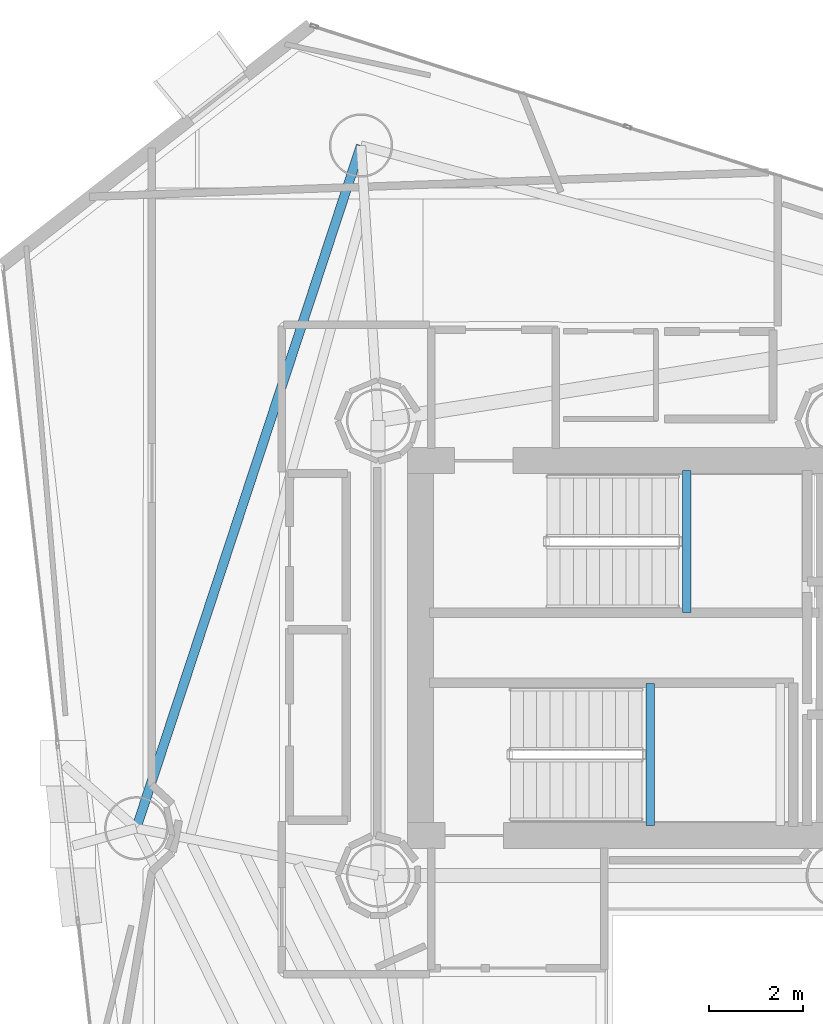
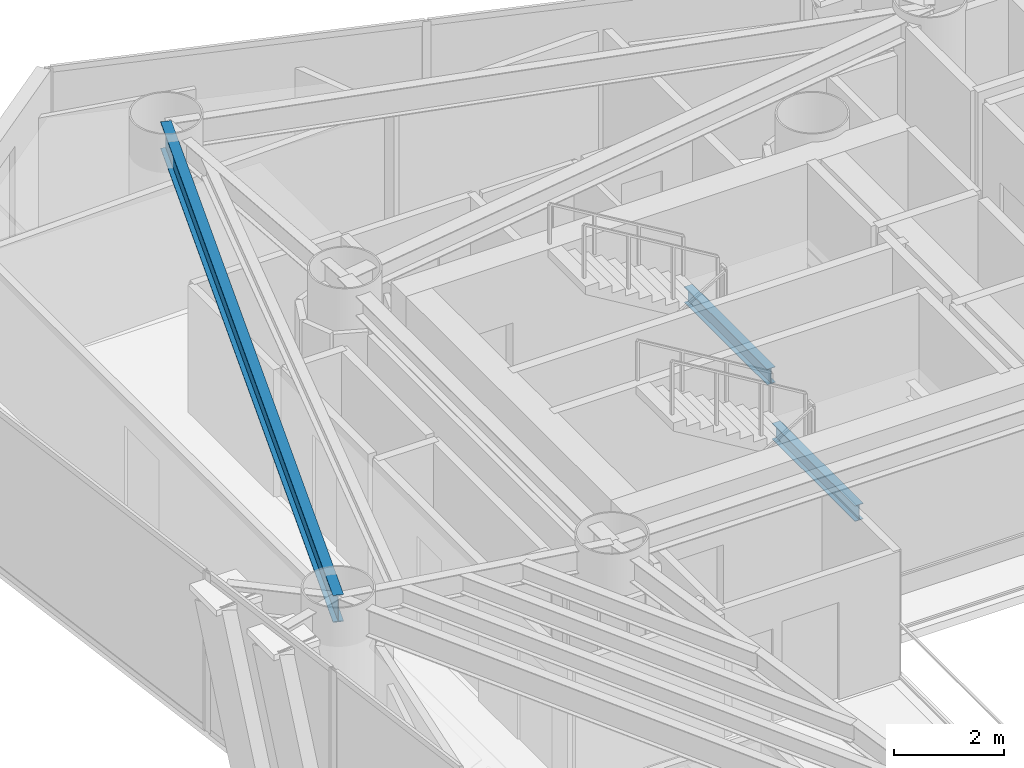
# One storey, part 10 of 22: 3 beams.
"""IFC4 building model written with IfcOpenShell, lengths in metres."""

from ifc_helpers import new_model, si_unit, direction, frame, origin, origin_2d, place, context, subcontext, project, spatial, i_section, extrude, material, material_profile, profile_set, type_object, element, save


model = new_model("IFC4")

# Units and contexts
model_context = context("Model", 3, precision=1e-05, world=origin(), true_north=direction((0.0, 1.0)))
body_context = subcontext(model_context, "Body", "Model", "MODEL_VIEW")
ifc_project = project(units=[si_unit("LENGTHUNIT", "METRE"), si_unit("AREAUNIT", "SQUARE_METRE"), si_unit("VOLUMEUNIT", "CUBIC_METRE"), si_unit("PLANEANGLEUNIT", "RADIAN"), si_unit("MASSUNIT", "GRAM", prefix="KILO")], contexts=[model_context])

# Site, building, storey
site_placement = place(None, origin())
site = spatial("IfcSite", under=ifc_project, at=site_placement, CompositionType="ELEMENT")
building_placement = place(site_placement, origin())
building = spatial("IfcBuilding", under=site, at=building_placement, Name="Qianvela Tower", CompositionType="ELEMENT")
storey_placement = place(building_placement, frame((0.0, 0.0, 173.5)))
storey = spatial("IfcBuildingStorey", under=building, at=storey_placement, Name="L44", CompositionType="ELEMENT", Elevation=173.5)

# Beams
ifc_material_1 = material(Name="Steel Q355B", Category="steel")
ifc_material_profile_1 = material_profile(ifc_material_1, i_section(OverallWidth=0.175048828125, OverallDepth=0.35009765625, WebThickness=0.007080078125, FlangeThickness=0.010986328125, at=origin_2d()), Name="HN350x175x7x11")
ifc_profile_set_1 = profile_set([ifc_material_profile_1], Name="Steel Q355B")
beam_type_1 = type_object("IfcBeamType", Name="BM-HN350-JOIST", PredefinedType="JOIST", material=ifc_profile_set_1)
for number, where, z_axis, x_axis, name in (
    (1, (35.179931640625, 29.4599609375, 1.47509765625), (0.0, 1.0, 0.0), (-1.0, 0.0, 0.0), "L44 Stair ST-1 Landing Support Beam 1.1"),
    (2, (34.39990234375, 24.919921875, 1.47509765625), (0.0, 1.0, 0.0), (-1.0, 0.0, 0.0), "L44 Stair ST-2 Landing Support Beam 1.1"),
):
    element("IfcBeam", number, at=place(storey_placement, frame(where, z_axis=z_axis, x_axis=x_axis)), inside=storey, type_object=beam_type_1, Name=name, PredefinedType="JOIST", context=body_context, shape_type="SweptSolid", body=[
        extrude(i_section(OverallWidth=0.175048828125, OverallDepth=0.35009765625, WebThickness=0.007080078125, FlangeThickness=0.010986328125, at=origin_2d()), origin(), (0.0, 0.0, 1.0), 3.02001953125),
    ])
ifc_material_2 = material(Name="Steel Q355B", Category="steel")
ifc_material_profile_2 = material_profile(ifc_material_2, i_section(OverallWidth=0.199951171875, OverallDepth=0.60009765625, WebThickness=0.010986328125, FlangeThickness=0.01708984375, at=origin_2d()), Name="HN600x200x11x17")
ifc_profile_set_2 = profile_set([ifc_material_profile_2], Name="Steel Q355B")
beam_type_2 = type_object("IfcBeamType", Name="BM-HN600-GIRD", PredefinedType="BEAM", material=ifc_profile_set_2)
beam_placement = place(storey_placement, frame((28.235107421875, 39.410888671875, 3.218017578125), z_axis=(-0.312606332657, -0.949882772126, 0.0), x_axis=(0.949882772126, -0.312606332657, 0.0)))
element("IfcBeam", 3, at=beam_placement, inside=storey, type_object=beam_type_2, Name="L44 Perimeter Ring Spandrel Girder 3", PredefinedType="BEAM", context=body_context, shape_type="SweptSolid", body=[
    extrude(i_section(OverallWidth=0.199951171875, OverallDepth=0.60009765625, WebThickness=0.010986328125, FlangeThickness=0.01708984375, at=origin_2d()), origin(), (0.0, 0.0, 1.0), 15.31982421875),
])

save(model, "model.ifc")
